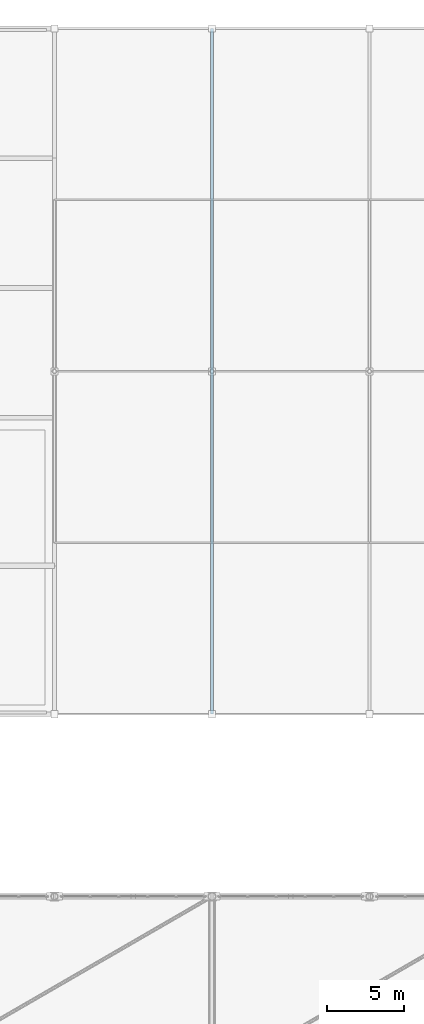
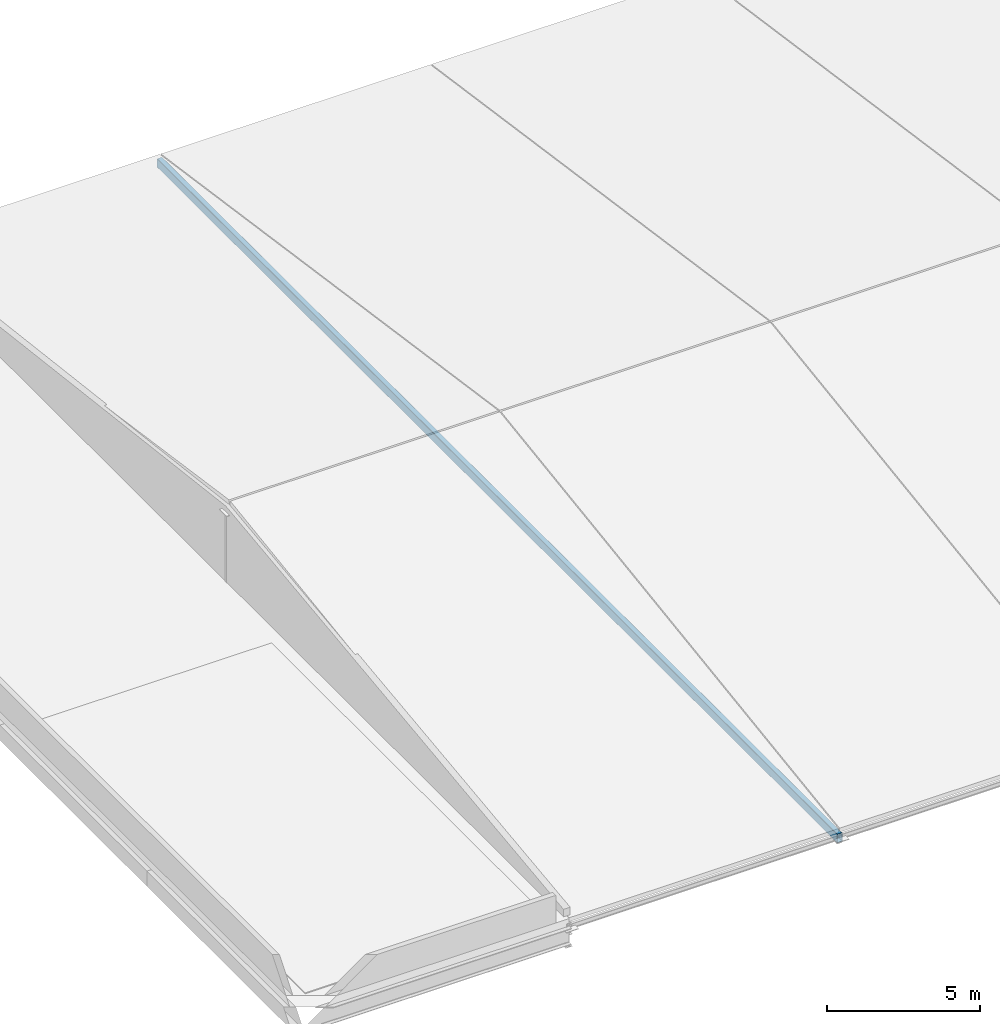
# One storey, part 75 of 135: 1 member.
"""IFC4 building model written with IfcOpenShell, lengths in metres."""

from ifc_helpers import new_model, si_unit, direction, frame, origin, origin_2d, place, context, subcontext, project, spatial, hollow_rectangle, extrude, material, material_profile, profile_set, type_object, element, save


model = new_model("IFC4")

# Units and contexts
model_context = context("Model", 3, precision=1e-05, world=origin(), true_north=direction((0.0, 1.0)))
body_context = subcontext(model_context, "Body", "Model", "MODEL_VIEW")
ifc_project = project(units=[si_unit("LENGTHUNIT", "METRE"), si_unit("AREAUNIT", "SQUARE_METRE"), si_unit("VOLUMEUNIT", "CUBIC_METRE"), si_unit("PLANEANGLEUNIT", "RADIAN"), si_unit("MASSUNIT", "GRAM", prefix="KILO")], contexts=[model_context])

# Site, building, storey
site_placement = place(None, origin())
site = spatial("IfcSite", under=ifc_project, at=site_placement, CompositionType="ELEMENT")
building_placement = place(site_placement, origin())
building = spatial("IfcBuilding", under=site, at=building_placement, Name="Brelvane Convention Centre", CompositionType="ELEMENT")
storey_placement = place(building_placement, frame((0.0, 0.0, 15.0)))
storey = spatial("IfcBuildingStorey", under=building, at=storey_placement, Name="L03", CompositionType="ELEMENT", Elevation=15.0)

# Member
ifc_material = material(Name="Steel E350 (350 MPa)", Category="steel")
ifc_material_profile = material_profile(ifc_material, hollow_rectangle(XDim=0.199951171875, YDim=0.35009765625, WallThickness=0.012451171875, InnerFilletRadius=0.012451171875, OuterFilletRadius=0.02490234375, at=origin_2d()), Name="RHS 350x200x12.5")
ifc_profile_set = profile_set([ifc_material_profile], Name="Steel E350 (350 MPa)")
member_type = type_object("IfcMemberType", Name="Steel Chord TR-CH1 (RHS 350x200x12.5)", PredefinedType="CHORD", material=ifc_profile_set)
member_placement = place(storey_placement, frame((183.60009765625, 99.60009765625, -0.35009765625), z_axis=(0.0, 1.0, 0.0), x_axis=(-1.0, 0.0, 0.0)))
element("IfcMember", 1, at=member_placement, inside=storey, type_object=member_type, Name="Ballroom Roof Truss Bottom Chord T2", PredefinedType="CHORD", context=body_context, shape_type="SweptSolid", body=[
    extrude(hollow_rectangle(XDim=0.199951171875, YDim=0.35009765625, WallThickness=0.012451171875, InnerFilletRadius=0.012451171875, OuterFilletRadius=0.02490234375, at=origin_2d()), origin(), (0.0, 0.0, 1.0), 44.39990234375),
])

save(model, "model.ifc")
